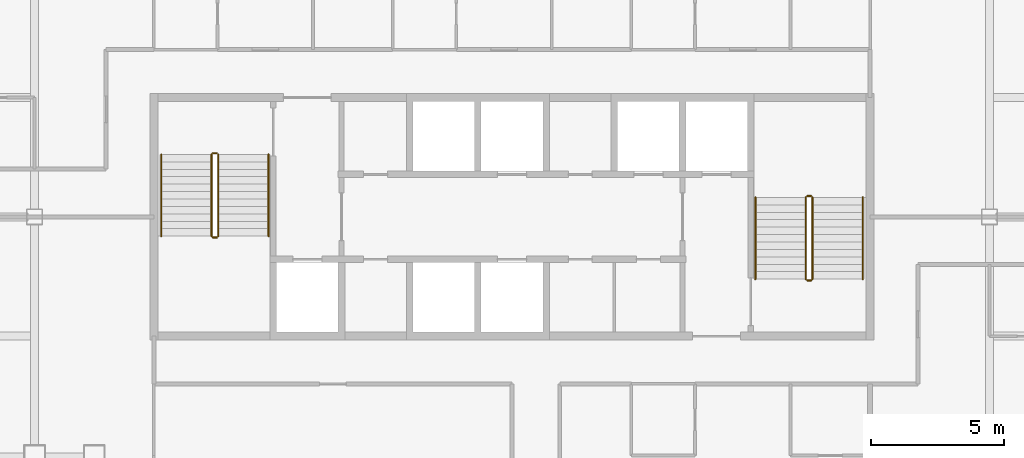
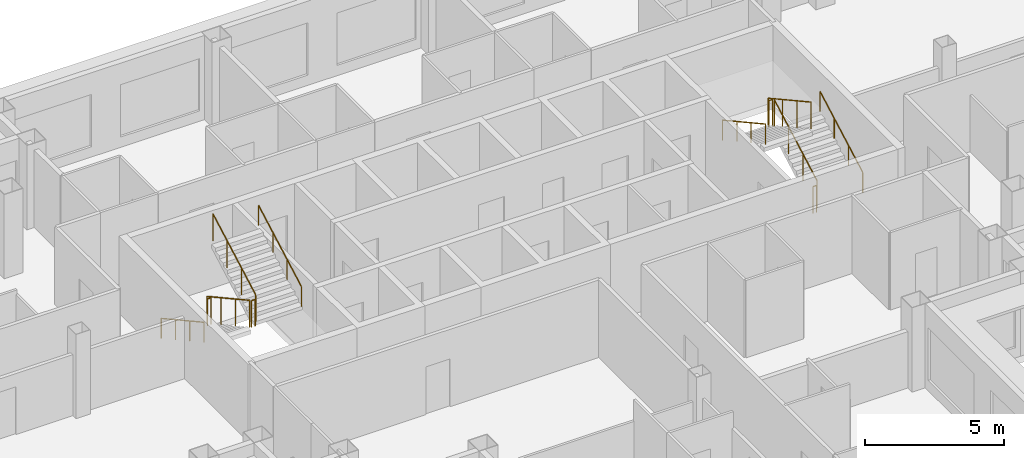
# One storey, part 13 of 13: 12 railings.
"""IFC4 building model written with IfcOpenShell, lengths in metres."""

from ifc_helpers import new_model, si_unit, direction, frame, origin, origin_2d, place, context, subcontext, project, spatial, circle, extrude, material, type_object, element, save


model = new_model("IFC4")

# Units and contexts
model_context = context("Model", 3, precision=1e-05, world=origin(), true_north=direction((0.0, 1.0)))
body_context = subcontext(model_context, "Body", "Model", "MODEL_VIEW")
ifc_project = project(units=[si_unit("LENGTHUNIT", "METRE"), si_unit("AREAUNIT", "SQUARE_METRE"), si_unit("VOLUMEUNIT", "CUBIC_METRE"), si_unit("PLANEANGLEUNIT", "RADIAN"), si_unit("MASSUNIT", "GRAM", prefix="KILO")], contexts=[model_context])

# Site, building, storey
site_placement = place(None, origin())
site = spatial("IfcSite", under=ifc_project, at=site_placement, CompositionType="ELEMENT")
building_placement = place(site_placement, origin())
building = spatial("IfcBuilding", under=site, at=building_placement, Name="Caravel Reach Hotel and Residences", CompositionType="ELEMENT")
storey_placement = place(building_placement, frame((0.0, 0.0, 158.0)))
storey = spatial("IfcBuildingStorey", under=building, at=storey_placement, Name="L39", CompositionType="ELEMENT", Elevation=158.0)

# Railings
ifc_material_1 = material(Name="Steel balustrade with glass infill", Category="steel")
railing_type_1 = type_object("IfcRailingType", Name="Guard 1200", PredefinedType="GUARDRAIL", material=ifc_material_1)
railing_1_placement = place(storey_placement, frame((20.175048828125, 29.35009765625, 0.154052734375)))
element("IfcRailing", 1, at=railing_1_placement, inside=storey, type_object=railing_type_1, Name="L39 ST-A stair guard 1", PredefinedType="GUARDRAIL", context=body_context, shape_type="SweptSolid", body=[
    extrude(circle(Radius=0.02392578125, at=origin_2d()), frame((0.0, 0.0, 1.17578125), z_axis=(0.0, -0.875975380505, 0.482355815502), x_axis=(1.0, 0.0, 0.0)), (0.0, 0.0, 1.0), 3.51611328125),
    extrude(circle(Radius=0.02099609375, at=origin_2d()), origin(), (0.0, 0.0, 1.0), 1.15185546875),
    extrude(circle(Radius=0.02099609375, at=origin_2d()), frame((0.0, -1.026611328125, 0.5654296875)), (0.0, 0.0, 1.0), 1.15185546875),
    extrude(circle(Radius=0.02099609375, at=origin_2d()), frame((0.0, -2.053466796875, 1.130615234375)), (0.0, 0.0, 1.0), 1.15185546875),
    extrude(circle(Radius=0.02099609375, at=origin_2d()), frame((0.0, -3.080078125, 1.696044921875)), (0.0, 0.0, 1.0), 1.15185546875),
])
railing_2_placement = place(storey_placement, frame((20.22509765625, 26.219970703125, 1.85009765625)))
element("IfcRailing", 2, at=railing_2_placement, inside=storey, type_object=railing_type_1, Name="L39 ST-A stair guard 2", PredefinedType="GUARDRAIL", context=body_context, shape_type="SweptSolid", body=[
    extrude(circle(Radius=0.02392578125, at=origin_2d()), frame((0.0, 0.0, 1.17578125), z_axis=(1.0, 0.0, 0.0), x_axis=(0.0, 1.0, 0.0)), (0.0, 0.0, 1.0), 0.14990234375),
    extrude(circle(Radius=0.02099609375, at=origin_2d()), origin(), (0.0, 0.0, 1.0), 1.15185546875),
    extrude(circle(Radius=0.02099609375, at=origin_2d()), frame((0.14990234375, 0.0, 0.0)), (0.0, 0.0, 1.0), 1.15185546875),
])
railing_3_placement = place(storey_placement, frame((20.425048828125, 26.27001953125, 2.004150390625)))
element("IfcRailing", 3, at=railing_3_placement, inside=storey, type_object=railing_type_1, Name="L39 ST-A stair guard 3", PredefinedType="GUARDRAIL", context=body_context, shape_type="SweptSolid", body=[
    extrude(circle(Radius=0.02392578125, at=origin_2d()), frame((0.0, 0.0, 1.17578125), z_axis=(0.0, 0.876004717809, 0.482302534076), x_axis=(-1.0, 0.0, 0.0)), (0.0, 0.0, 1.0), 3.51611328125),
    extrude(circle(Radius=0.02099609375, at=origin_2d()), origin(), (0.0, 0.0, 1.0), 1.15185546875),
    extrude(circle(Radius=0.02099609375, at=origin_2d()), frame((0.0, 1.026611328125, 0.565185546875)), (0.0, 0.0, 1.0), 1.15185546875),
    extrude(circle(Radius=0.02099609375, at=origin_2d()), frame((0.0, 2.053466796875, 1.130615234375)), (0.0, 0.0, 1.0), 1.15185546875),
    extrude(circle(Radius=0.02099609375, at=origin_2d()), frame((0.0, 3.080078125, 1.69580078125)), (0.0, 0.0, 1.0), 1.15185546875),
])
railing_4_placement = place(storey_placement, frame((20.22509765625, 29.39990234375, 0.0)))
element("IfcRailing", 4, at=railing_4_placement, inside=storey, type_object=railing_type_1, Name="L39 ST-A stair guard 4", PredefinedType="GUARDRAIL", context=body_context, shape_type="SweptSolid", body=[
    extrude(circle(Radius=0.02392578125, at=origin_2d()), frame((0.0, 0.0, 1.17578125), z_axis=(1.0, 0.0, 0.0), x_axis=(0.0, 1.0, 0.0)), (0.0, 0.0, 1.0), 0.14990234375),
    extrude(circle(Radius=0.02099609375, at=origin_2d()), origin(), (0.0, 0.0, 1.0), 1.15185546875),
    extrude(circle(Radius=0.02099609375, at=origin_2d()), frame((0.14990234375, 0.0, 0.0)), (0.0, 0.0, 1.0), 1.15185546875),
])
railing_5_placement = place(storey_placement, frame((42.824951171875, 24.64990234375, 0.154052734375)))
element("IfcRailing", 5, at=railing_5_placement, inside=storey, type_object=railing_type_1, Name="L39 ST-B stair guard 1", PredefinedType="GUARDRAIL", context=body_context, shape_type="SweptSolid", body=[
    extrude(circle(Radius=0.02392578125, at=origin_2d()), frame((0.0, 0.0, 1.17578125), z_axis=(0.0, 0.875975380505, 0.482355815502), x_axis=(-1.0, 0.0, 0.0)), (0.0, 0.0, 1.0), 3.51611328125),
    extrude(circle(Radius=0.02099609375, at=origin_2d()), origin(), (0.0, 0.0, 1.0), 1.15185546875),
    extrude(circle(Radius=0.02099609375, at=origin_2d()), frame((0.0, 1.026611328125, 0.5654296875)), (0.0, 0.0, 1.0), 1.15185546875),
    extrude(circle(Radius=0.02099609375, at=origin_2d()), frame((0.0, 2.053466796875, 1.130615234375)), (0.0, 0.0, 1.0), 1.15185546875),
    extrude(circle(Radius=0.02099609375, at=origin_2d()), frame((0.0, 3.080078125, 1.696044921875)), (0.0, 0.0, 1.0), 1.15185546875),
])
railing_6_placement = place(storey_placement, frame((42.77490234375, 27.780029296875, 1.85009765625)))
element("IfcRailing", 6, at=railing_6_placement, inside=storey, type_object=railing_type_1, Name="L39 ST-B stair guard 2", PredefinedType="GUARDRAIL", context=body_context, shape_type="SweptSolid", body=[
    extrude(circle(Radius=0.02392578125, at=origin_2d()), frame((0.0, 0.0, 1.17578125), z_axis=(-1.0, 0.0, 0.0), x_axis=(0.0, -1.0, 0.0)), (0.0, 0.0, 1.0), 0.14990234375),
    extrude(circle(Radius=0.02099609375, at=origin_2d()), origin(), (0.0, 0.0, 1.0), 1.15185546875),
    extrude(circle(Radius=0.02099609375, at=origin_2d()), frame((-0.14990234375, 0.0, 0.0)), (0.0, 0.0, 1.0), 1.15185546875),
])
railing_7_placement = place(storey_placement, frame((42.574951171875, 27.72998046875, 2.004150390625)))
element("IfcRailing", 7, at=railing_7_placement, inside=storey, type_object=railing_type_1, Name="L39 ST-B stair guard 3", PredefinedType="GUARDRAIL", context=body_context, shape_type="SweptSolid", body=[
    extrude(circle(Radius=0.02392578125, at=origin_2d()), frame((0.0, 0.0, 1.17578125), z_axis=(0.0, -0.876004717809, 0.482302534076), x_axis=(1.0, 0.0, 0.0)), (0.0, 0.0, 1.0), 3.51611328125),
    extrude(circle(Radius=0.02099609375, at=origin_2d()), origin(), (0.0, 0.0, 1.0), 1.15185546875),
    extrude(circle(Radius=0.02099609375, at=origin_2d()), frame((0.0, -1.026611328125, 0.565185546875)), (0.0, 0.0, 1.0), 1.15185546875),
    extrude(circle(Radius=0.02099609375, at=origin_2d()), frame((0.0, -2.053466796875, 1.130615234375)), (0.0, 0.0, 1.0), 1.15185546875),
    extrude(circle(Radius=0.02099609375, at=origin_2d()), frame((0.0, -3.080078125, 1.69580078125)), (0.0, 0.0, 1.0), 1.15185546875),
])
railing_8_placement = place(storey_placement, frame((42.77490234375, 24.60009765625, 0.0)))
element("IfcRailing", 8, at=railing_8_placement, inside=storey, type_object=railing_type_1, Name="L39 ST-B stair guard 4", PredefinedType="GUARDRAIL", context=body_context, shape_type="SweptSolid", body=[
    extrude(circle(Radius=0.02392578125, at=origin_2d()), frame((0.0, 0.0, 1.17578125), z_axis=(-1.0, 0.0, 0.0), x_axis=(0.0, -1.0, 0.0)), (0.0, 0.0, 1.0), 0.14990234375),
    extrude(circle(Radius=0.02099609375, at=origin_2d()), origin(), (0.0, 0.0, 1.0), 1.15185546875),
    extrude(circle(Radius=0.02099609375, at=origin_2d()), frame((-0.14990234375, 0.0, 0.0)), (0.0, 0.0, 1.0), 1.15185546875),
])
ifc_material_2 = material(Name="Stainless steel handrail", Category="steel")
railing_type_2 = type_object("IfcRailingType", Name="Handrail 900", PredefinedType="HANDRAIL", material=ifc_material_2)
railing_9_placement = place(storey_placement, frame((18.27490234375, 29.35009765625, 0.154052734375)))
element("IfcRailing", 9, at=railing_9_placement, inside=storey, type_object=railing_type_2, Name="L39 ST-A stair handrail 1", PredefinedType="HANDRAIL", context=body_context, shape_type="SweptSolid", body=[
    extrude(circle(Radius=0.02392578125, at=origin_2d()), frame((0.0, 0.0, 0.8759765625), z_axis=(0.0, -0.875975380505, 0.482355815502), x_axis=(1.0, 0.0, 0.0)), (0.0, 0.0, 1.0), 3.51611328125),
    extrude(circle(Radius=0.02099609375, at=origin_2d()), origin(), (0.0, 0.0, 1.0), 0.851806640625),
    extrude(circle(Radius=0.02099609375, at=origin_2d()), frame((0.0, -1.026611328125, 0.5654296875)), (0.0, 0.0, 1.0), 0.851806640625),
    extrude(circle(Radius=0.02099609375, at=origin_2d()), frame((0.0, -2.053466796875, 1.130615234375)), (0.0, 0.0, 1.0), 0.851806640625),
    extrude(circle(Radius=0.02099609375, at=origin_2d()), frame((0.0, -3.080078125, 1.696044921875)), (0.0, 0.0, 1.0), 0.851806640625),
])
railing_10_placement = place(storey_placement, frame((22.324951171875, 26.27001953125, 2.004150390625)))
element("IfcRailing", 10, at=railing_10_placement, inside=storey, type_object=railing_type_2, Name="L39 ST-A stair handrail 2", PredefinedType="HANDRAIL", context=body_context, shape_type="SweptSolid", body=[
    extrude(circle(Radius=0.02392578125, at=origin_2d()), frame((0.0, 0.0, 0.8759765625), z_axis=(0.0, 0.876004717809, 0.482302534076), x_axis=(-1.0, 0.0, 0.0)), (0.0, 0.0, 1.0), 3.51611328125),
    extrude(circle(Radius=0.02099609375, at=origin_2d()), origin(), (0.0, 0.0, 1.0), 0.851806640625),
    extrude(circle(Radius=0.02099609375, at=origin_2d()), frame((0.0, 1.026611328125, 0.565185546875)), (0.0, 0.0, 1.0), 0.851806640625),
    extrude(circle(Radius=0.02099609375, at=origin_2d()), frame((0.0, 2.053466796875, 1.130615234375)), (0.0, 0.0, 1.0), 0.851806640625),
    extrude(circle(Radius=0.02099609375, at=origin_2d()), frame((0.0, 3.080078125, 1.69580078125)), (0.0, 0.0, 1.0), 0.851806640625),
])
railing_11_placement = place(storey_placement, frame((44.72509765625, 24.64990234375, 0.154052734375)))
element("IfcRailing", 11, at=railing_11_placement, inside=storey, type_object=railing_type_2, Name="L39 ST-B stair handrail 1", PredefinedType="HANDRAIL", context=body_context, shape_type="SweptSolid", body=[
    extrude(circle(Radius=0.02392578125, at=origin_2d()), frame((0.0, 0.0, 0.8759765625), z_axis=(0.0, 0.875975380505, 0.482355815502), x_axis=(-1.0, 0.0, 0.0)), (0.0, 0.0, 1.0), 3.51611328125),
    extrude(circle(Radius=0.02099609375, at=origin_2d()), origin(), (0.0, 0.0, 1.0), 0.851806640625),
    extrude(circle(Radius=0.02099609375, at=origin_2d()), frame((0.0, 1.026611328125, 0.5654296875)), (0.0, 0.0, 1.0), 0.851806640625),
    extrude(circle(Radius=0.02099609375, at=origin_2d()), frame((0.0, 2.053466796875, 1.130615234375)), (0.0, 0.0, 1.0), 0.851806640625),
    extrude(circle(Radius=0.02099609375, at=origin_2d()), frame((0.0, 3.080078125, 1.696044921875)), (0.0, 0.0, 1.0), 0.851806640625),
])
railing_12_placement = place(storey_placement, frame((40.675048828125, 27.72998046875, 2.004150390625)))
element("IfcRailing", 12, at=railing_12_placement, inside=storey, type_object=railing_type_2, Name="L39 ST-B stair handrail 2", PredefinedType="HANDRAIL", context=body_context, shape_type="SweptSolid", body=[
    extrude(circle(Radius=0.02392578125, at=origin_2d()), frame((0.0, 0.0, 0.8759765625), z_axis=(0.0, -0.876004717809, 0.482302534076), x_axis=(1.0, 0.0, 0.0)), (0.0, 0.0, 1.0), 3.51611328125),
    extrude(circle(Radius=0.02099609375, at=origin_2d()), origin(), (0.0, 0.0, 1.0), 0.851806640625),
    extrude(circle(Radius=0.02099609375, at=origin_2d()), frame((0.0, -1.026611328125, 0.565185546875)), (0.0, 0.0, 1.0), 0.851806640625),
    extrude(circle(Radius=0.02099609375, at=origin_2d()), frame((0.0, -2.053466796875, 1.130615234375)), (0.0, 0.0, 1.0), 0.851806640625),
    extrude(circle(Radius=0.02099609375, at=origin_2d()), frame((0.0, -3.080078125, 1.69580078125)), (0.0, 0.0, 1.0), 0.851806640625),
])

save(model, "model.ifc")
